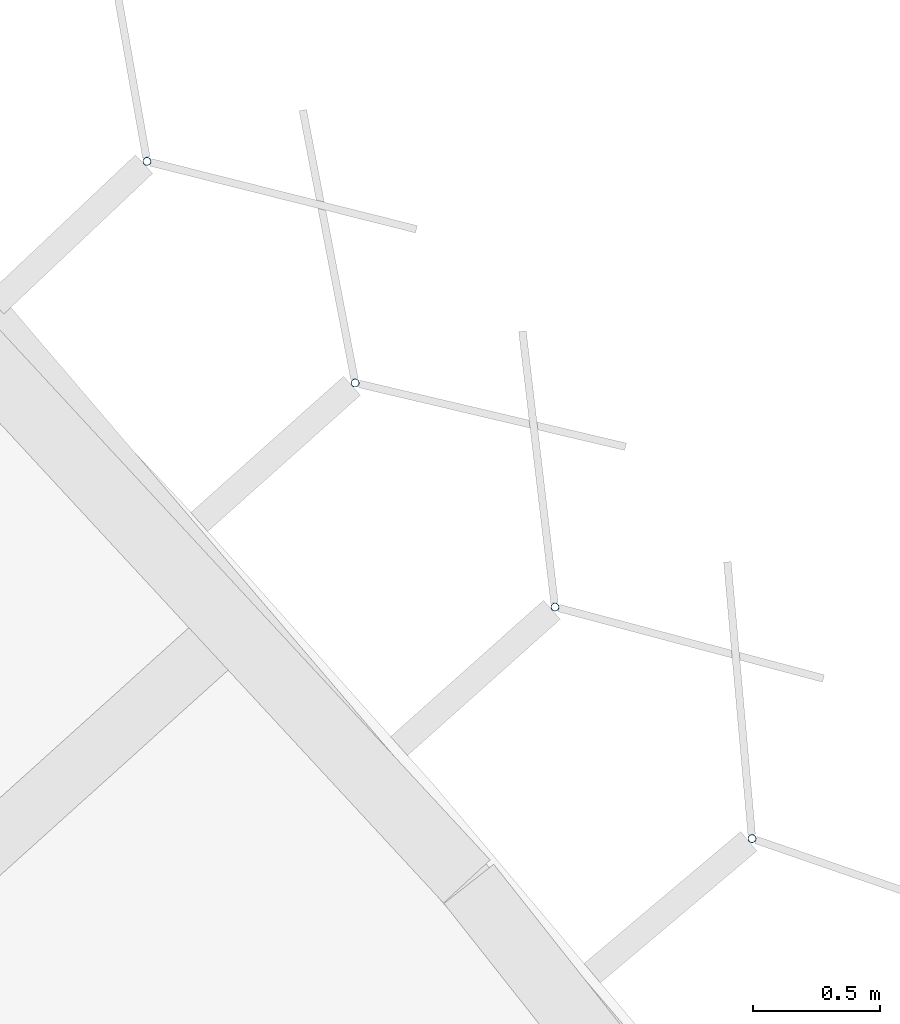
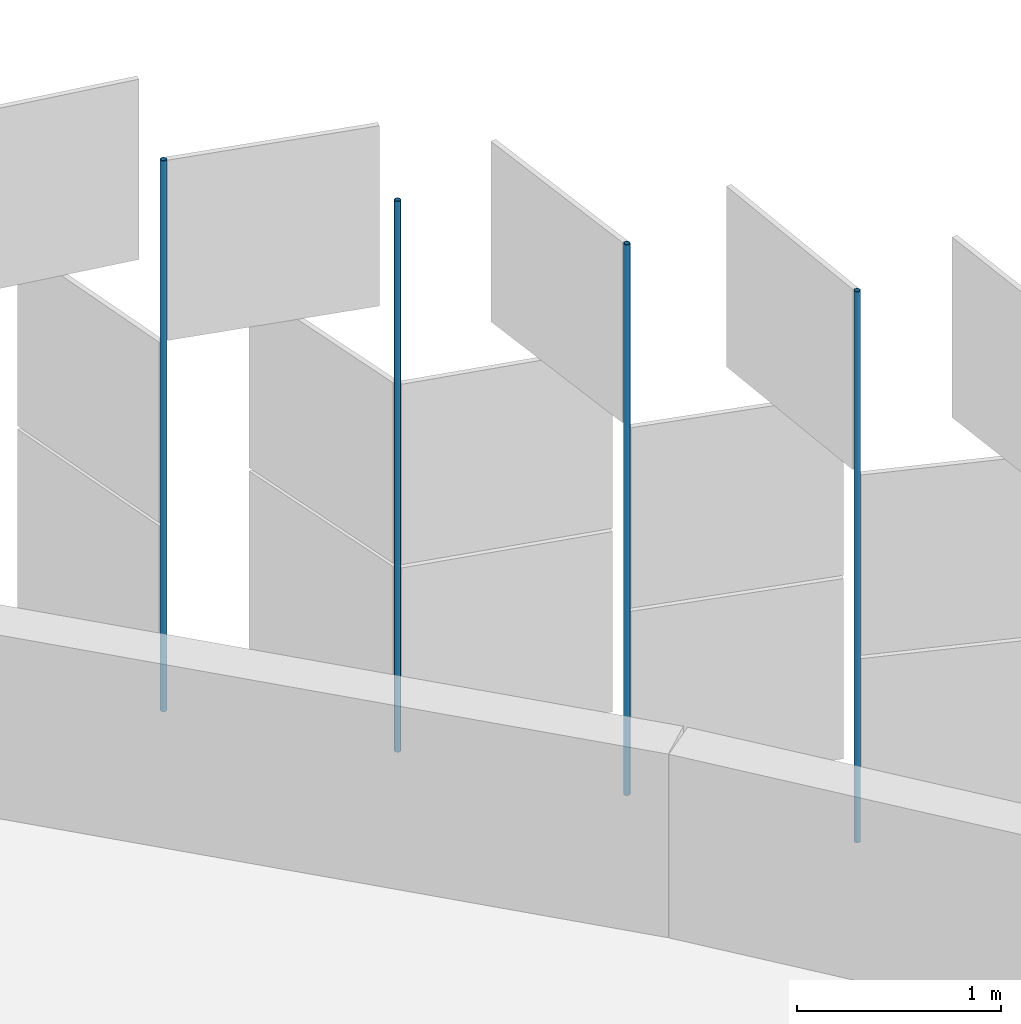
# One storey, part 126 of 198: 4 discrete accessories.
"""IFC4 building model written with IfcOpenShell, lengths in metres."""

from ifc_helpers import new_model, si_unit, direction, frame, origin, origin_2d, place, context, subcontext, project, spatial, hollow_circle, extrude, material, material_profile, profile_set, type_object, element, save


model = new_model("IFC4")

# Units and contexts
model_context = context("Model", 3, precision=1e-05, world=origin(), true_north=direction((0.0, 1.0)))
body_context = subcontext(model_context, "Body", "Model", "MODEL_VIEW")
ifc_project = project(units=[si_unit("LENGTHUNIT", "METRE"), si_unit("AREAUNIT", "SQUARE_METRE"), si_unit("VOLUMEUNIT", "CUBIC_METRE"), si_unit("PLANEANGLEUNIT", "RADIAN"), si_unit("MASSUNIT", "GRAM", prefix="KILO")], contexts=[model_context])

# Site, building, storey
site_placement = place(None, origin())
site = spatial("IfcSite", under=ifc_project, at=site_placement, CompositionType="ELEMENT")
building_placement = place(site_placement, origin())
building = spatial("IfcBuilding", under=site, at=building_placement, Name="Parallax Yard Mobility Hub", CompositionType="ELEMENT")
storey_placement = place(building_placement, frame((0.0, 0.0, 6.60009765625)))
storey = spatial("IfcBuildingStorey", under=building, at=storey_placement, Name="L02", CompositionType="ELEMENT", Elevation=6.60009765625)

# Discrete accessories
ifc_material = material(Name="Steel ASTM A500 Gr C, hot-dip galvanised", Category="steel")
ifc_material_profile = material_profile(ifc_material, hollow_circle(Radius=0.016845703125, WallThickness=0.003173828125, at=origin_2d()), Name="CHS 33.7x3.2")
ifc_profile_set = profile_set([ifc_material_profile], Name="Steel ASTM A500 Gr C, hot-dip galvanised")
discrete_accessory_type = type_object("IfcDiscreteAccessoryType", Name="Hinge post CHS 33.7x3.2", PredefinedType="BRACKET", material=ifc_profile_set)
for number, where, z_axis, x_axis, name in (
    (1, (213.4287109375, 124.17236328125, 0.0), (0.0, 0.0, 1.0), (1.0, 0.0, 0.0), "Hinge post bay 45.4 level L02"),
    (2, (212.651123046875, 125.086181640625, 0.0), (0.0, 0.0, 1.0), (1.0, 0.0, 0.0), "Hinge post bay 45.5 level L02"),
    (3, (211.862548828125, 125.970458984375, 0.0), (0.0, 0.0, 1.0), (1.0, 0.0, 0.0), "Hinge post bay 45.6 level L02"),
    (4, (211.041015625, 126.844970703125, 0.0), (0.0, 0.0, 1.0), (1.0, 0.0, 0.0), "Hinge post bay 45.7 level L02"),
):
    element("IfcDiscreteAccessory", number, at=place(storey_placement, frame(where, z_axis=z_axis, x_axis=x_axis)), inside=storey, type_object=discrete_accessory_type, Name=name, PredefinedType="BRACKET", context=body_context, shape_type="SweptSolid", body=[
        extrude(hollow_circle(Radius=0.016845703125, WallThickness=0.003173828125, at=origin_2d()), origin(), (0.0, 0.0, 1.0), 3.2998046875),
    ])

save(model, "model.ifc")
